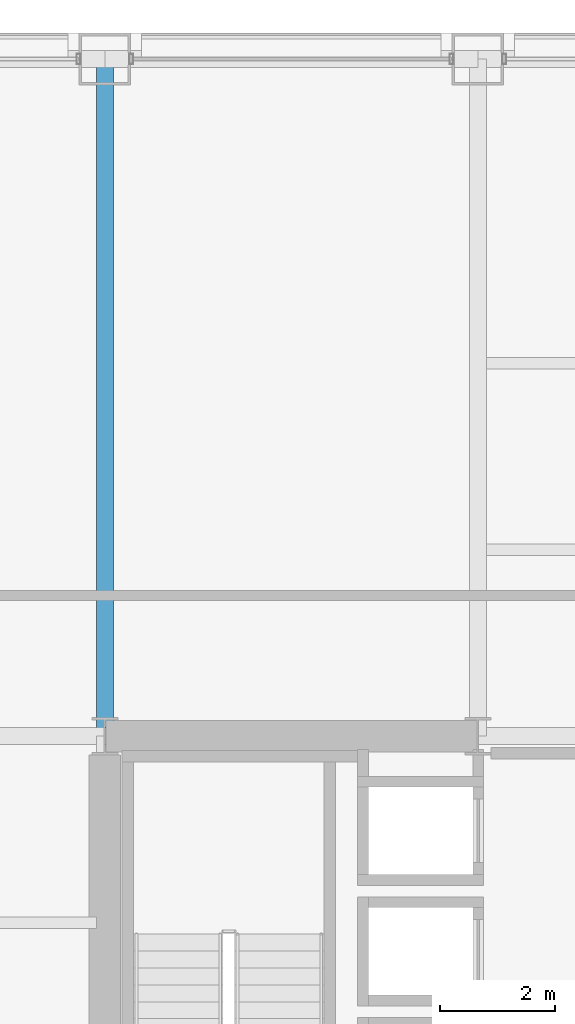
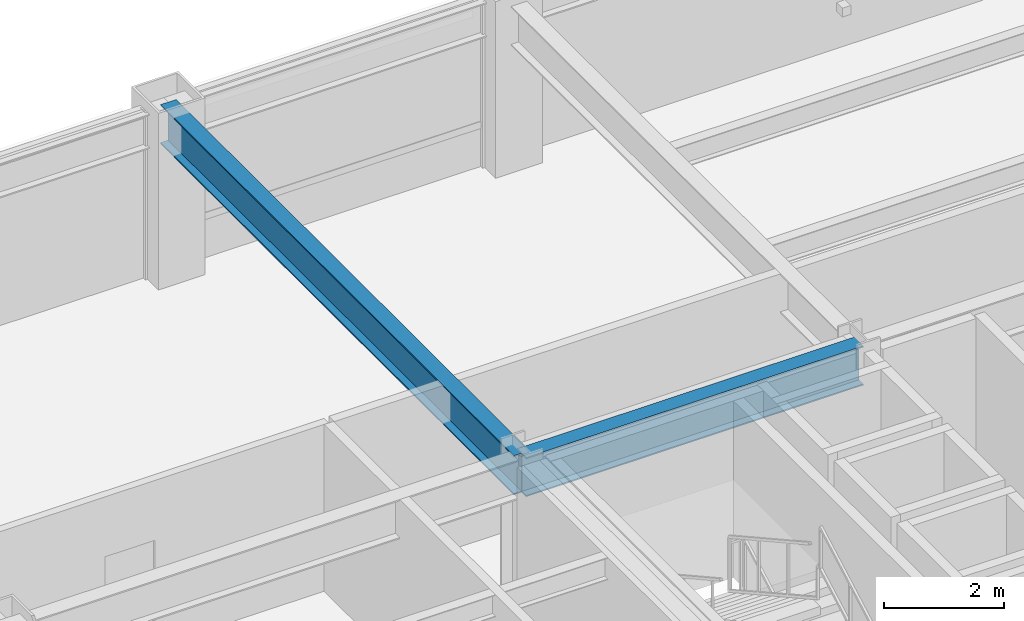
# One storey, part 14 of 29: 2 beams.
"""IFC4 building model written with IfcOpenShell, lengths in metres."""

import ifcopenshell
import ifcopenshell.guid

model = None  # the IFC model being written
_history = None  # IfcOwnerHistory: only IFC2X3 demands one
_inside = {}  # id of a spatial element -> (the spatial element, [elements in it])
_under = {}  # id of a project, library or spatial element -> (it, [spatial elements below it])
_declared = {}  # id of a project -> (the project, [libraries it declares])
_typed = {}  # id of a type object -> (the type object, [elements of that type])
_made_of = {}  # id of a material, layer set ... -> (it, [elements and type objects made of it])


def new_model(schema):
    """Start an empty IFC model of exactly this schema.

    Asked for "IFC4X3", IfcOpenShell would pick the latest addendum, in which some entities
    have other attributes; the version numbers below select the first issue.
    IFC2X3 requires an IfcOwnerHistory on every rooted entity: one is made here for all.
    """
    global model, _history
    if schema == "IFC4X3":
        model = ifcopenshell.file(schema_version=(4, 3, 0, 0))
    else:
        model = ifcopenshell.file(schema=schema)
    _inside.clear()
    _under.clear()
    _declared.clear()
    _typed.clear()
    _made_of.clear()
    _history = None
    if model.schema == "IFC2X3":
        org = make("IfcOrganization", Name="unknown")
        user = make(
            "IfcPersonAndOrganization",
            ThePerson=make("IfcPerson", FamilyName="unknown"),
            TheOrganization=org,
        )
        app = make(
            "IfcApplication",
            ApplicationDeveloper=org,
            Version="unknown",
            ApplicationFullName="unknown",
            ApplicationIdentifier="unknown",
        )
        _history = make(
            "IfcOwnerHistory",
            OwningUser=user,
            OwningApplication=app,
            ChangeAction="ADDED",
            CreationDate=0,
        )
    return model


def make(cls, **values):
    """One entity of the class cls with the attributes given. An attribute that is None is left unset."""
    return model.create_entity(
        cls, **{name: value for name, value in values.items() if value is not None}
    )


def rooted(cls, **values):
    """An entity with a GlobalId (a new one), such as an element, a storey or a relation."""
    return make(cls, GlobalId=ifcopenshell.guid.new(), OwnerHistory=_history, **values)


def si_unit(unit_type, name, prefix=None):
    """IfcSIUnit, for example si_unit("LENGTHUNIT", "METRE", prefix="MILLI")."""
    return make("IfcSIUnit", UnitType=unit_type, Prefix=prefix, Name=name)


def assignment(units):
    """IfcUnitAssignment: the units of a project."""
    return None if units is None else make("IfcUnitAssignment", Units=units)


def point(xyz):
    """IfcCartesianPoint."""
    return None if xyz is None else make("IfcCartesianPoint", Coordinates=xyz)


def direction(xyz):
    """IfcDirection."""
    return None if xyz is None else make("IfcDirection", DirectionRatios=xyz)


def frame(location, z_axis=None, x_axis=None):
    """IfcAxis2Placement3D, a coordinate frame: its origin and axes. An axis left out is left unset."""
    return make(
        "IfcAxis2Placement3D",
        Location=point(location),
        Axis=direction(z_axis),
        RefDirection=direction(x_axis),
    )


def frame_2d(location, x_axis=None):
    """IfcAxis2Placement2D, a coordinate frame in the plane: its origin and x axis."""
    return make(
        "IfcAxis2Placement2D", Location=point(location), RefDirection=direction(x_axis)
    )


def origin():
    """The frame at (0, 0, 0) with its axes left unset."""
    return frame((0.0, 0.0, 0.0))


def origin_2d():
    """The frame at (0, 0) in the plane with its x axis left unset."""
    return frame_2d((0.0, 0.0))


def place(relative_to, where):
    """IfcLocalPlacement: puts the frame where relative to a parent placement (None: the world)."""
    return make(
        "IfcLocalPlacement", PlacementRelTo=relative_to, RelativePlacement=where
    )


def context(
    kind, dimensions, precision=None, world=None, true_north=None, identifier=None
):
    """IfcGeometricRepresentationContext, for example the 3D "Model" context."""
    return make(
        "IfcGeometricRepresentationContext",
        ContextIdentifier=identifier,
        ContextType=kind,
        CoordinateSpaceDimension=dimensions,
        Precision=precision,
        WorldCoordinateSystem=world,
        TrueNorth=true_north,
    )


def subcontext(parent, identifier, kind, view, scale=None):
    """IfcGeometricRepresentationSubContext, for example "Body" below "Model"."""
    return make(
        "IfcGeometricRepresentationSubContext",
        ContextIdentifier=identifier,
        ContextType=kind,
        ParentContext=parent,
        TargetScale=scale,
        TargetView=view,
    )


def project(units=None, contexts=None):
    """IfcProject with its units and contexts."""
    return rooted(
        "IfcProject",
        Name="project",
        RepresentationContexts=contexts,
        UnitsInContext=assignment(units),
    )


def spatial(cls, under=None, at=None, **own):
    """A site, building, storey or space (cls), placed at a placement, below another one or the project."""
    s = rooted(cls, ObjectPlacement=at, **own)
    if under is not None:
        _under.setdefault(under.id(), (under, []))[1].append(s)
    return s


def profile(cls, at=None, kind="AREA", **sizes):
    """A parametric profile (cls). Its sizes go by their IFC names, for example OverallWidth=200.0."""
    return make(cls, ProfileType=kind, Position=at, **sizes)


def i_section(**sizes):
    """IfcIShapeProfileDef."""
    return profile("IfcIShapeProfileDef", **sizes)


def extrude(swept, where, along, depth):
    """IfcExtrudedAreaSolid: the profile swept, set in the frame where, extruded along a direction by depth."""
    return make(
        "IfcExtrudedAreaSolid",
        SweptArea=swept,
        Position=where,
        ExtrudedDirection=direction(along),
        Depth=depth,
    )


def shape(context_of_items, identifier, shape_type, items):
    """IfcShapeRepresentation: the items that make up one representation, for example the "Body"."""
    return make(
        "IfcShapeRepresentation",
        ContextOfItems=context_of_items,
        RepresentationIdentifier=identifier,
        RepresentationType=shape_type,
        Items=items,
    )


def material(Name=None, Category=None):
    """IfcMaterial."""
    return make("IfcMaterial", Name=Name, Category=Category)


def material_profile(
    of_material, cross_section, Name=None, Category=None, Priority=None
):
    """IfcMaterialProfile: a cross section and its material."""
    return make(
        "IfcMaterialProfile",
        Name=Name,
        Material=of_material,
        Profile=cross_section,
        Priority=Priority,
        Category=Category,
    )


def profile_set(profiles, Name=None, composite=None):
    """IfcMaterialProfileSet."""
    return make(
        "IfcMaterialProfileSet",
        Name=Name,
        MaterialProfiles=profiles,
        CompositeProfile=composite,
    )


def made_of(thing, what):
    """Note that an element or type object is made of a material, layer set ...; save() writes the relation."""
    if what is not None:
        _made_of.setdefault(what.id(), (what, []))[1].append(thing)
    return thing


def type_object(cls, material=None, **own):
    """A type object (cls), such as IfcWallType, which elements share."""
    return made_of(rooted(cls, **own), material)


def element(
    cls,
    number,
    at=None,
    inside=None,
    cuts=None,
    type_object=None,
    material=None,
    context=None,
    identifier="Body",
    shape_type=None,
    held_by="IfcProductDefinitionShape",
    body=None,
    shapes=None,
    **own,
):
    """One element of the class cls, such as IfcWall. Its Tag is "e" and its number.

    at: its placement. inside: the storey or other place that contains it. cuts: it is an
    opening in that element (IfcRelVoidsElement). A single representation is given by context,
    identifier, shape_type and body (its items); several are given by shapes. held_by: the class
    of the entity that holds the representations. save() writes the other relations.
    """
    e = rooted(cls, Tag="e%d" % number, ObjectPlacement=at, **own)
    if body is not None:
        shapes = [shape(context, identifier, shape_type, body)]
    if shapes is not None:
        e.Representation = make(held_by, Representations=shapes)
    if inside is not None:
        _inside.setdefault(inside.id(), (inside, []))[1].append(e)
    if cuts is not None:
        rooted(
            "IfcRelVoidsElement", RelatingBuildingElement=cuts, RelatedOpeningElement=e
        )
    if type_object is not None:
        _typed.setdefault(type_object.id(), (type_object, []))[1].append(e)
    return made_of(e, material)


def aggregate(whole, parts):
    """IfcRelAggregates: a whole, such as a stair, and the parts it consists of."""
    return rooted("IfcRelAggregates", RelatingObject=whole, RelatedObjects=parts)


def save(model, path):
    """Write the relations noted so far, then the file.

    IfcRelAggregates (storeys below a building ...), IfcRelContainedInSpatialStructure (elements
    in a storey), IfcRelDefinesByType, IfcRelAssociatesMaterial and IfcRelDeclares: one each for
    every whole, place, type object, material and project.
    """
    for whole, parts in _under.values():
        aggregate(whole, parts)
    for where, things in _inside.values():
        rooted(
            "IfcRelContainedInSpatialStructure",
            RelatedElements=things,
            RelatingStructure=where,
        )
    for kind, things in _typed.values():
        rooted("IfcRelDefinesByType", RelatedObjects=things, RelatingType=kind)
    for what, things in _made_of.values():
        rooted("IfcRelAssociatesMaterial", RelatedObjects=things, RelatingMaterial=what)
    for by, libraries in _declared.values():
        rooted("IfcRelDeclares", RelatingContext=by, RelatedDefinitions=libraries)
    model.write(path)


model = new_model("IFC4")

# Units and contexts
model_context = context("Model", 3, precision=1e-05, world=origin(), true_north=direction((0.0, 1.0)))
body_context = subcontext(model_context, "Body", "Model", "MODEL_VIEW")
ifc_project = project(units=[si_unit("LENGTHUNIT", "METRE"), si_unit("AREAUNIT", "SQUARE_METRE"), si_unit("VOLUMEUNIT", "CUBIC_METRE"), si_unit("PLANEANGLEUNIT", "RADIAN"), si_unit("MASSUNIT", "GRAM", prefix="KILO")], contexts=[model_context])

# Site, building, storey
site_placement = place(None, origin())
site = spatial("IfcSite", under=ifc_project, at=site_placement, CompositionType="ELEMENT")
building_placement = place(site_placement, origin())
building = spatial("IfcBuilding", under=site, at=building_placement, Name="Brelmoor Portico Tower", CompositionType="ELEMENT")
storey_placement = place(building_placement, frame((0.0, 0.0, 63.60009765625)))
storey = spatial("IfcBuildingStorey", under=building, at=storey_placement, Name="L16", CompositionType="ELEMENT", Elevation=63.60009765625)

# Beams
ifc_material = material(Name="Steel Q355B", Category="steel")
ifc_material_profile = material_profile(ifc_material, i_section(OverallWidth=0.300048828125, OverallDepth=0.800048828125, WebThickness=0.013916015625, FlangeThickness=0.02587890625, at=origin_2d()), Name="HN 800x300x14x26")
ifc_profile_set = profile_set([ifc_material_profile], Name="Steel Q355B")
beam_type = type_object("IfcBeamType", Name="BM-PG-800", PredefinedType="BEAM", material=ifc_profile_set)
beam_1_placement = place(storey_placement, frame((-14.550048828125, 9.75, 3.0), z_axis=(0.0, 1.0, 0.0), x_axis=(-1.0, 0.0, 0.0)))
element("IfcBeam", 1, at=beam_1_placement, inside=storey, type_object=beam_type, Name="L16 Primary Floor Girder PG-06", PredefinedType="BEAM", context=body_context, shape_type="SweptSolid", body=[
    extrude(i_section(OverallWidth=0.300048828125, OverallDepth=0.800048828125, WebThickness=0.013916015625, FlangeThickness=0.02587890625, at=origin_2d()), origin(), (0.0, 0.0, 1.0), 11.800048828125),
])
beam_2_placement = place(storey_placement, frame((-14.550048828125, 9.75, 3.0), z_axis=(1.0, 0.0, 0.0), x_axis=(0.0, 1.0, 0.0)))
element("IfcBeam", 2, at=beam_2_placement, inside=storey, type_object=beam_type, Name="L16 Primary Floor Girder PG-28", PredefinedType="BEAM", context=body_context, shape_type="SweptSolid", body=[
    extrude(i_section(OverallWidth=0.300048828125, OverallDepth=0.800048828125, WebThickness=0.013916015625, FlangeThickness=0.02587890625, at=origin_2d()), origin(), (0.0, 0.0, 1.0), 6.5),
])

save(model, "model.ifc")
